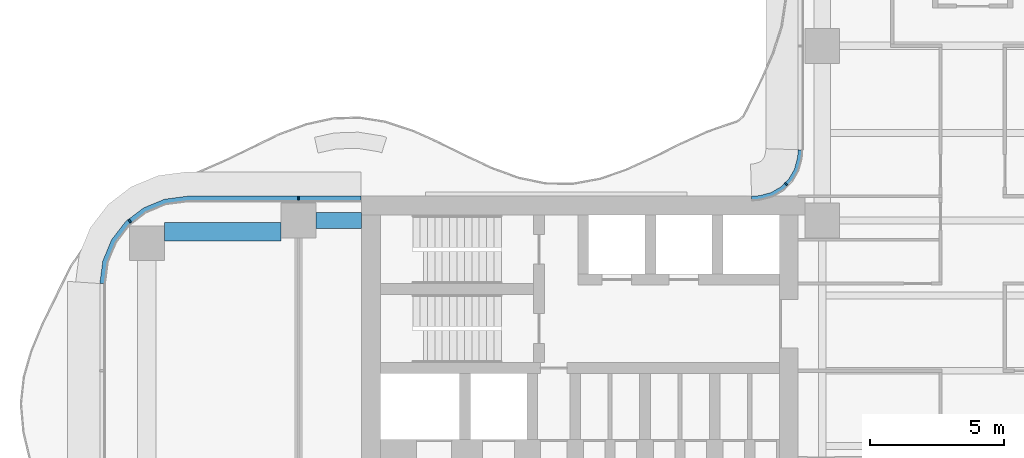
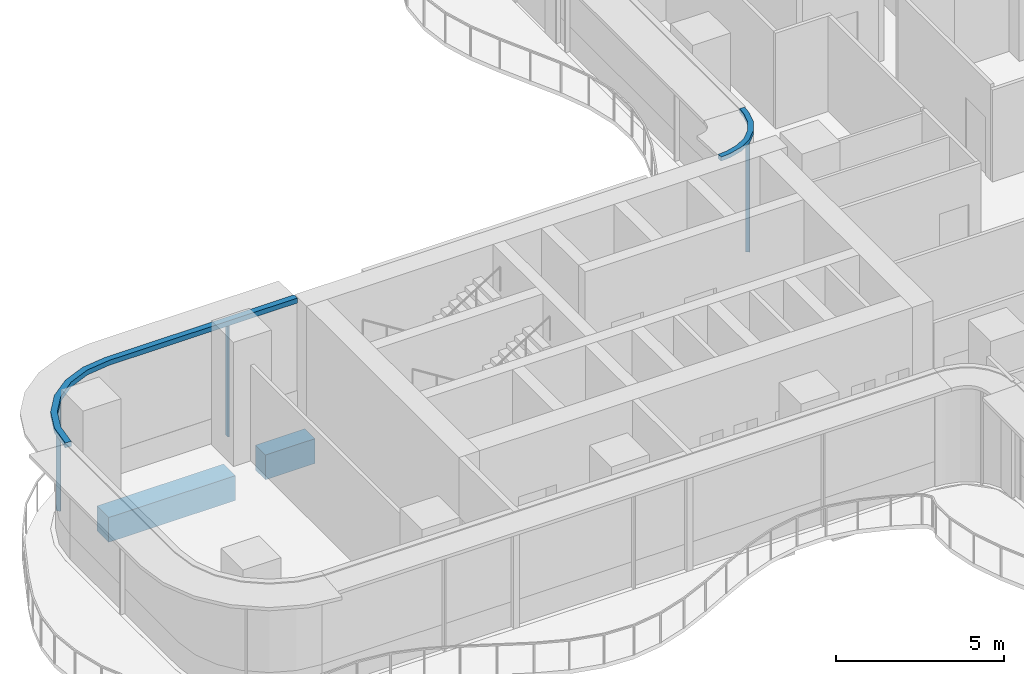
# One storey, part 8 of 23: 5 members, 2 beams, 2 elements without a shape of their own.
"""IFC4 building model written with IfcOpenShell, lengths in metres."""

import ifcopenshell
import ifcopenshell.guid

model = None  # the IFC model being written
_history = None  # IfcOwnerHistory: only IFC2X3 demands one
_inside = {}  # id of a spatial element -> (the spatial element, [elements in it])
_under = {}  # id of a project, library or spatial element -> (it, [spatial elements below it])
_declared = {}  # id of a project -> (the project, [libraries it declares])
_typed = {}  # id of a type object -> (the type object, [elements of that type])
_made_of = {}  # id of a material, layer set ... -> (it, [elements and type objects made of it])


def new_model(schema):
    """Start an empty IFC model of exactly this schema.

    Asked for "IFC4X3", IfcOpenShell would pick the latest addendum, in which some entities
    have other attributes; the version numbers below select the first issue.
    IFC2X3 requires an IfcOwnerHistory on every rooted entity: one is made here for all.
    """
    global model, _history
    if schema == "IFC4X3":
        model = ifcopenshell.file(schema_version=(4, 3, 0, 0))
    else:
        model = ifcopenshell.file(schema=schema)
    _inside.clear()
    _under.clear()
    _declared.clear()
    _typed.clear()
    _made_of.clear()
    _history = None
    if model.schema == "IFC2X3":
        org = make("IfcOrganization", Name="unknown")
        user = make(
            "IfcPersonAndOrganization",
            ThePerson=make("IfcPerson", FamilyName="unknown"),
            TheOrganization=org,
        )
        app = make(
            "IfcApplication",
            ApplicationDeveloper=org,
            Version="unknown",
            ApplicationFullName="unknown",
            ApplicationIdentifier="unknown",
        )
        _history = make(
            "IfcOwnerHistory",
            OwningUser=user,
            OwningApplication=app,
            ChangeAction="ADDED",
            CreationDate=0,
        )
    return model


def make(cls, **values):
    """One entity of the class cls with the attributes given. An attribute that is None is left unset."""
    return model.create_entity(
        cls, **{name: value for name, value in values.items() if value is not None}
    )


def rooted(cls, **values):
    """An entity with a GlobalId (a new one), such as an element, a storey or a relation."""
    return make(cls, GlobalId=ifcopenshell.guid.new(), OwnerHistory=_history, **values)


def si_unit(unit_type, name, prefix=None):
    """IfcSIUnit, for example si_unit("LENGTHUNIT", "METRE", prefix="MILLI")."""
    return make("IfcSIUnit", UnitType=unit_type, Prefix=prefix, Name=name)


def assignment(units):
    """IfcUnitAssignment: the units of a project."""
    return None if units is None else make("IfcUnitAssignment", Units=units)


def point(xyz):
    """IfcCartesianPoint."""
    return None if xyz is None else make("IfcCartesianPoint", Coordinates=xyz)


def direction(xyz):
    """IfcDirection."""
    return None if xyz is None else make("IfcDirection", DirectionRatios=xyz)


def frame(location, z_axis=None, x_axis=None):
    """IfcAxis2Placement3D, a coordinate frame: its origin and axes. An axis left out is left unset."""
    return make(
        "IfcAxis2Placement3D",
        Location=point(location),
        Axis=direction(z_axis),
        RefDirection=direction(x_axis),
    )


def frame_2d(location, x_axis=None):
    """IfcAxis2Placement2D, a coordinate frame in the plane: its origin and x axis."""
    return make(
        "IfcAxis2Placement2D", Location=point(location), RefDirection=direction(x_axis)
    )


def origin():
    """The frame at (0, 0, 0) with its axes left unset."""
    return frame((0.0, 0.0, 0.0))


def origin_2d():
    """The frame at (0, 0) in the plane with its x axis left unset."""
    return frame_2d((0.0, 0.0))


def place(relative_to, where):
    """IfcLocalPlacement: puts the frame where relative to a parent placement (None: the world)."""
    return make(
        "IfcLocalPlacement", PlacementRelTo=relative_to, RelativePlacement=where
    )


def context(
    kind, dimensions, precision=None, world=None, true_north=None, identifier=None
):
    """IfcGeometricRepresentationContext, for example the 3D "Model" context."""
    return make(
        "IfcGeometricRepresentationContext",
        ContextIdentifier=identifier,
        ContextType=kind,
        CoordinateSpaceDimension=dimensions,
        Precision=precision,
        WorldCoordinateSystem=world,
        TrueNorth=true_north,
    )


def subcontext(parent, identifier, kind, view, scale=None):
    """IfcGeometricRepresentationSubContext, for example "Body" below "Model"."""
    return make(
        "IfcGeometricRepresentationSubContext",
        ContextIdentifier=identifier,
        ContextType=kind,
        ParentContext=parent,
        TargetScale=scale,
        TargetView=view,
    )


def project(units=None, contexts=None):
    """IfcProject with its units and contexts."""
    return rooted(
        "IfcProject",
        Name="project",
        RepresentationContexts=contexts,
        UnitsInContext=assignment(units),
    )


def spatial(cls, under=None, at=None, **own):
    """A site, building, storey or space (cls), placed at a placement, below another one or the project."""
    s = rooted(cls, ObjectPlacement=at, **own)
    if under is not None:
        _under.setdefault(under.id(), (under, []))[1].append(s)
    return s


def polyline(points):
    """IfcPolyline through the points."""
    return make("IfcPolyline", Points=[point(p) for p in points])


def profile(cls, at=None, kind="AREA", **sizes):
    """A parametric profile (cls). Its sizes go by their IFC names, for example OverallWidth=200.0."""
    return make(cls, ProfileType=kind, Position=at, **sizes)


def rectangle(**sizes):
    """IfcRectangleProfileDef."""
    return profile("IfcRectangleProfileDef", **sizes)


def outline(outer, holes=None, kind="AREA"):
    """IfcArbitraryClosedProfileDef: a profile drawn as a closed curve; with holes, ...WithVoids."""
    if holes is None:
        return make("IfcArbitraryClosedProfileDef", ProfileType=kind, OuterCurve=outer)
    return make(
        "IfcArbitraryProfileDefWithVoids",
        ProfileType=kind,
        OuterCurve=outer,
        InnerCurves=holes,
    )


def extrude(swept, where, along, depth):
    """IfcExtrudedAreaSolid: the profile swept, set in the frame where, extruded along a direction by depth."""
    return make(
        "IfcExtrudedAreaSolid",
        SweptArea=swept,
        Position=where,
        ExtrudedDirection=direction(along),
        Depth=depth,
    )


def shape(context_of_items, identifier, shape_type, items):
    """IfcShapeRepresentation: the items that make up one representation, for example the "Body"."""
    return make(
        "IfcShapeRepresentation",
        ContextOfItems=context_of_items,
        RepresentationIdentifier=identifier,
        RepresentationType=shape_type,
        Items=items,
    )


def source(mapping_origin, context_of_items, identifier, shape_type, items):
    """IfcRepresentationMap: a shape defined once, which mapped items show again and again."""
    return make(
        "IfcRepresentationMap",
        MappingOrigin=mapping_origin,
        MappedRepresentation=shape(context_of_items, identifier, shape_type, items),
    )


def transform(
    local_origin,
    x_axis=None,
    y_axis=None,
    z_axis=None,
    scale=None,
    scale2=None,
    scale3=None,
    uniform=True,
):
    """IfcCartesianTransformationOperator3D, or its non-uniform kind. x_axis, y_axis, z_axis: its Axis1, 2, 3."""
    if uniform:
        return make(
            "IfcCartesianTransformationOperator3D",
            Axis1=direction(x_axis),
            Axis2=direction(y_axis),
            LocalOrigin=point(local_origin),
            Scale=scale,
            Axis3=direction(z_axis),
        )
    return make(
        "IfcCartesianTransformationOperator3DnonUniform",
        Axis1=direction(x_axis),
        Axis2=direction(y_axis),
        LocalOrigin=point(local_origin),
        Scale=scale,
        Axis3=direction(z_axis),
        Scale2=scale2,
        Scale3=scale3,
    )


def mapped(mapping_source, mapping_target):
    """IfcMappedItem: shows the shape of a source again, moved by a transform."""
    return make(
        "IfcMappedItem", MappingSource=mapping_source, MappingTarget=mapping_target
    )


def material(Name=None, Category=None):
    """IfcMaterial."""
    return make("IfcMaterial", Name=Name, Category=Category)


def layer(
    of_material, thickness, ventilated=None, Name=None, Category=None, Priority=None
):
    """IfcMaterialLayer: one layer of a wall or slab, of a material (None: an air gap)."""
    return make(
        "IfcMaterialLayer",
        Material=of_material,
        LayerThickness=thickness,
        IsVentilated=ventilated,
        Name=Name,
        Category=Category,
        Priority=Priority,
    )


def layer_set(layers, Name=None):
    """IfcMaterialLayerSet."""
    return make("IfcMaterialLayerSet", MaterialLayers=layers, LayerSetName=Name)


def material_profile(
    of_material, cross_section, Name=None, Category=None, Priority=None
):
    """IfcMaterialProfile: a cross section and its material."""
    return make(
        "IfcMaterialProfile",
        Name=Name,
        Material=of_material,
        Profile=cross_section,
        Priority=Priority,
        Category=Category,
    )


def profile_set(profiles, Name=None, composite=None):
    """IfcMaterialProfileSet."""
    return make(
        "IfcMaterialProfileSet",
        Name=Name,
        MaterialProfiles=profiles,
        CompositeProfile=composite,
    )


def made_of(thing, what):
    """Note that an element or type object is made of a material, layer set ...; save() writes the relation."""
    if what is not None:
        _made_of.setdefault(what.id(), (what, []))[1].append(thing)
    return thing


def type_object(cls, material=None, **own):
    """A type object (cls), such as IfcWallType, which elements share."""
    return made_of(rooted(cls, **own), material)


def element(
    cls,
    number,
    at=None,
    inside=None,
    cuts=None,
    type_object=None,
    material=None,
    context=None,
    identifier="Body",
    shape_type=None,
    held_by="IfcProductDefinitionShape",
    body=None,
    shapes=None,
    **own,
):
    """One element of the class cls, such as IfcWall. Its Tag is "e" and its number.

    at: its placement. inside: the storey or other place that contains it. cuts: it is an
    opening in that element (IfcRelVoidsElement). A single representation is given by context,
    identifier, shape_type and body (its items); several are given by shapes. held_by: the class
    of the entity that holds the representations. save() writes the other relations.
    """
    e = rooted(cls, Tag="e%d" % number, ObjectPlacement=at, **own)
    if body is not None:
        shapes = [shape(context, identifier, shape_type, body)]
    if shapes is not None:
        e.Representation = make(held_by, Representations=shapes)
    if inside is not None:
        _inside.setdefault(inside.id(), (inside, []))[1].append(e)
    if cuts is not None:
        rooted(
            "IfcRelVoidsElement", RelatingBuildingElement=cuts, RelatedOpeningElement=e
        )
    if type_object is not None:
        _typed.setdefault(type_object.id(), (type_object, []))[1].append(e)
    return made_of(e, material)


def aggregate(whole, parts):
    """IfcRelAggregates: a whole, such as a stair, and the parts it consists of."""
    return rooted("IfcRelAggregates", RelatingObject=whole, RelatedObjects=parts)


def save(model, path):
    """Write the relations noted so far, then the file.

    IfcRelAggregates (storeys below a building ...), IfcRelContainedInSpatialStructure (elements
    in a storey), IfcRelDefinesByType, IfcRelAssociatesMaterial and IfcRelDeclares: one each for
    every whole, place, type object, material and project.
    """
    for whole, parts in _under.values():
        aggregate(whole, parts)
    for where, things in _inside.values():
        rooted(
            "IfcRelContainedInSpatialStructure",
            RelatedElements=things,
            RelatingStructure=where,
        )
    for kind, things in _typed.values():
        rooted("IfcRelDefinesByType", RelatedObjects=things, RelatingType=kind)
    for what, things in _made_of.values():
        rooted("IfcRelAssociatesMaterial", RelatedObjects=things, RelatingMaterial=what)
    for by, libraries in _declared.values():
        rooted("IfcRelDeclares", RelatingContext=by, RelatedDefinitions=libraries)
    model.write(path)


model = new_model("IFC4")

# Units and contexts
model_context = context("Model", 3, precision=1e-05, world=origin(), true_north=direction((0.0, 1.0)))
body_context = subcontext(model_context, "Body", "Model", "MODEL_VIEW")
ifc_project = project(units=[si_unit("LENGTHUNIT", "METRE"), si_unit("AREAUNIT", "SQUARE_METRE"), si_unit("VOLUMEUNIT", "CUBIC_METRE"), si_unit("PLANEANGLEUNIT", "RADIAN"), si_unit("MASSUNIT", "GRAM", prefix="KILO")], contexts=[model_context])

# Site, building, storey
site_placement = place(None, origin())
site = spatial("IfcSite", under=ifc_project, at=site_placement, CompositionType="ELEMENT")
building_placement = place(site_placement, origin())
building = spatial("IfcBuilding", under=site, at=building_placement, Name="Trellis Farm Tower", CompositionType="ELEMENT")
storey_placement = place(building_placement, frame((0.0, 0.0, 120.0)))
storey = spatial("IfcBuildingStorey", under=building, at=storey_placement, Name="L25", CompositionType="ELEMENT", Elevation=120.0)

# Beams
ifc_material_1 = material(Name="Concrete C60/75", Category="concrete")
ifc_material_profile_1 = material_profile(ifc_material_1, rectangle(XDim=0.60009765625, YDim=0.89990234375, at=origin_2d()), Name="RC spandrel beam 600x900 C60/75")
ifc_profile_set_1 = profile_set([ifc_material_profile_1], Name="Concrete C60/75")
beam_type_1 = type_object("IfcBeamType", Name="RC spandrel beam 600x900 C60/75", PredefinedType="SPANDREL", material=ifc_profile_set_1)
shared_shape_1 = source(origin(), body_context, "Body", "SweptSolid", [
    extrude(rectangle(XDim=0.60009765625, YDim=0.89990234375, at=origin_2d()), origin(), (0.0, 0.0, 1.0), 1.699951171875),
])
beam_1_placement = place(storey_placement, frame((-24.449951171875, 5.60009765625, -0.699951171875), z_axis=(1.0, 0.0, 0.0), x_axis=(0.0, 1.0, 0.0)))
element("IfcBeam", 1, at=beam_1_placement, inside=storey, type_object=beam_type_1, Name="Girder", PredefinedType="SPANDREL", context=body_context, shape_type="MappedRepresentation", body=[
    mapped(shared_shape_1, transform((0.0, 0.0, 0.0))),
])
ifc_material_profile_2 = material_profile(ifc_material_1, rectangle(XDim=0.699951171875, YDim=0.89990234375, at=origin_2d()), Name="RC spandrel beam 700x900 C60/75")
ifc_profile_set_2 = profile_set([ifc_material_profile_2], Name="Concrete C60/75")
beam_type_2 = type_object("IfcBeamType", Name="RC spandrel beam 700x900 C60/75", PredefinedType="SPANDREL", material=ifc_profile_set_2)
shared_shape_2 = source(origin(), body_context, "Body", "SweptSolid", [
    extrude(rectangle(XDim=0.699951171875, YDim=0.89990234375, at=origin_2d()), origin(), (0.0, 0.0, 1.0), 4.35009765625),
])
beam_2_placement = place(storey_placement, frame((-30.10009765625, 5.175048828125, -0.699951171875), z_axis=(1.0, 0.0, 0.0), x_axis=(0.0, 1.0, 0.0)))
element("IfcBeam", 2, at=beam_2_placement, inside=storey, type_object=beam_type_2, Name="Girder", PredefinedType="SPANDREL", context=body_context, shape_type="MappedRepresentation", body=[
    mapped(shared_shape_2, transform((0.0, 0.0, 0.0))),
])

# Curtain wall, members
ifc_material_2 = material(Name="Aluminium and glass curtain wall", Category="aluminium")
ifc_layer_1 = layer(ifc_material_2, 0.18994140625)
ifc_layer_set_1 = layer_set([ifc_layer_1], Name="RIBBON CURTAIN WALL CW1")
curtain_wall_type_1 = type_object("IfcCurtainWallType", Name="RIBBON CURTAIN WALL CW1", PredefinedType="NOTDEFINED", material=ifc_layer_set_1)
placement = place(storey_placement, origin())
curtain_wall_1 = element("IfcCurtainWall", 3, at=placement, inside=storey, type_object=curtain_wall_type_1, Name="CW1 013", PredefinedType="NOTDEFINED")
ifc_material_3 = material(Name="Aluminium extrusion 6063-T6", Category="aluminium")
ifc_material_profile_3 = material_profile(ifc_material_3, rectangle(XDim=0.06005859375, YDim=0.14990234375, at=origin_2d()), Name="MULLION 60x150")
ifc_profile_set_3 = profile_set([ifc_material_profile_3], Name="Aluminium extrusion 6063-T6")
member_type_1 = type_object("IfcMemberType", Name="CW1 MULLION 60x150", PredefinedType="MULLION", material=ifc_profile_set_3)
shared_shape_3 = source(origin(), body_context, "Body", "SweptSolid", [
    extrude(rectangle(XDim=0.06005859375, YDim=0.14990234375, at=origin_2d()), origin(), (0.0, 0.0, 1.0), 4.070068359375),
])
member_1_placement = place(storey_placement, frame((-25.10009765625, 6.425048828125, 0.0), z_axis=(0.0, 0.0, 1.0), x_axis=(-1.0, 0.0, 0.0)))
member_1 = element("IfcMember", 4, at=member_1_placement, type_object=member_type_1, Name="MU1 013-01", PredefinedType="MULLION", context=body_context, shape_type="MappedRepresentation", body=[
    mapped(shared_shape_3, transform((0.0, 0.0, 0.0))),
])
member_2_placement = place(storey_placement, frame((-31.385498046875, 5.578369140625, 0.0), z_axis=(0.0, 0.0, 1.0), x_axis=(-0.793353340291, -0.608761429009, 0.0)))
member_2 = element("IfcMember", 5, at=member_2_placement, type_object=member_type_1, Name="MU1 013-02", PredefinedType="MULLION", context=body_context, shape_type="MappedRepresentation", body=[
    mapped(shared_shape_3, transform((0.0, 0.0, 0.0))),
])

ifc_layer_2 = layer(ifc_material_2, 0.166015625)
ifc_layer_set_2 = layer_set([ifc_layer_2], Name="WINTER GARDEN CURTAIN WALL CW3")
curtain_wall_type_2 = type_object("IfcCurtainWallType", Name="WINTER GARDEN CURTAIN WALL CW3", PredefinedType="NOTDEFINED", material=ifc_layer_set_2)
curtain_wall_2 = element("IfcCurtainWall", 6, at=placement, inside=storey, type_object=curtain_wall_type_2, Name="CW3 004", PredefinedType="NOTDEFINED")
ifc_material_profile_4 = material_profile(ifc_material_3, rectangle(XDim=0.050048828125, YDim=0.1201171875, at=origin_2d()), Name="MULLION 50x120")
ifc_profile_set_4 = profile_set([ifc_material_profile_4], Name="Aluminium extrusion 6063-T6")
member_type_2 = type_object("IfcMemberType", Name="CW3 MULLION 50x120", PredefinedType="MULLION", material=ifc_profile_set_4)
shared_shape_4 = source(origin(), body_context, "Body", "SweptSolid", [
    extrude(rectangle(XDim=0.050048828125, YDim=0.1201171875, at=origin_2d()), origin(), (0.0, 0.0, 1.0), 4.10009765625),
])
member_3_placement = place(storey_placement, frame((-6.953125, 6.953125, 0.0), z_axis=(0.0, 0.0, 1.0), x_axis=(-0.707106781187, -0.707106781187, 0.0)))
member_3 = element("IfcMember", 7, at=member_3_placement, type_object=member_type_2, Name="MU3 004-01", PredefinedType="MULLION", context=body_context, shape_type="MappedRepresentation", body=[
    mapped(shared_shape_4, transform((0.0, 0.0, 0.0))),
])
ifc_layer_3 = layer(ifc_material_3, 0.169921875)
ifc_layer_set_3 = layer_set([ifc_layer_3], Name="Aluminium extrusion 6063-T6")
member_type_3 = type_object("IfcMemberType", Name="CW3 TRANSOM 170x150", PredefinedType="USERDEFINED", material=ifc_layer_set_3)
shared_shape_5 = source(origin(), body_context, "Body", "SweptSolid", [
    extrude(outline(polyline([(-6.5, 8.2314453125), (-6.513916015625, 8.01953125), (-6.527587890625, 7.91552734375), (-6.63671875, 7.508544921875), (-6.846923828125, 7.144287109375), (-7.144287109375, 6.846923828125), (-7.508544921875, 6.63671875), (-7.91552734375, 6.527587890625), (-8.01953125, 6.513916015625), (-8.2314453125, 6.5), (-8.225830078125, 6.330078125), (-8.0029296875, 6.3447265625), (-7.88232421875, 6.360595703125), (-7.44287109375, 6.478271484375), (-7.0400390625, 6.7109375), (-6.7109375, 7.0400390625), (-6.478271484375, 7.44287109375), (-6.360595703125, 7.88232421875), (-6.3447265625, 8.0029296875), (-6.330078125, 8.225830078125), (-6.5, 8.2314453125)])), origin(), (0.0, 0.0, 1.0), 0.14990234375),
])
member_4_placement = place(storey_placement, frame((0.0, 0.0, 4.10009765625)))
member_4 = element("IfcMember", 8, at=member_4_placement, type_object=member_type_3, Name="TR3 004", ObjectType="TRANSOM", PredefinedType="USERDEFINED", context=body_context, shape_type="MappedRepresentation", body=[
    mapped(shared_shape_5, transform((0.0, 0.0, 0.0))),
])
aggregate(curtain_wall_2, [member_3, member_4])

# Member
ifc_layer_4 = layer(ifc_material_3, 0.199951171875)
ifc_layer_set_4 = layer_set([ifc_layer_4], Name="Aluminium extrusion 6063-T6")
member_type_4 = type_object("IfcMemberType", Name="CW1 TRANSOM 200x180", PredefinedType="USERDEFINED", material=ifc_layer_set_4)
shared_shape_6 = source(origin(), body_context, "Body", "SweptSolid", [
    extrude(outline(polyline([(-22.780029296875, 6.5), (-29.25, 6.5), (-30.091064453125, 6.38916015625), (-30.875, 6.064697265625), (-31.548095703125, 5.548095703125), (-32.064697265625, 4.875), (-32.38916015625, 4.091064453125), (-32.5, 3.25), (-32.300048828125, 3.23681640625), (-32.1943359375, 4.0390625), (-31.889892578125, 4.774169921875), (-31.405517578125, 5.405517578125), (-30.774169921875, 5.889892578125), (-30.0390625, 6.1943359375), (-29.23681640625, 6.300048828125), (-22.780029296875, 6.300048828125), (-22.780029296875, 6.5)])), origin(), (0.0, 0.0, 1.0), 0.179931640625),
])
member_5_placement = place(storey_placement, frame((0.0, 0.0, 4.070068359375)))
member_5 = element("IfcMember", 9, at=member_5_placement, type_object=member_type_4, Name="TR1 013", ObjectType="TRANSOM", PredefinedType="USERDEFINED", context=body_context, shape_type="MappedRepresentation", body=[
    mapped(shared_shape_6, transform((0.0, 0.0, 0.0))),
])

aggregate(curtain_wall_1, [member_1, member_2, member_5])

save(model, "model.ifc")
